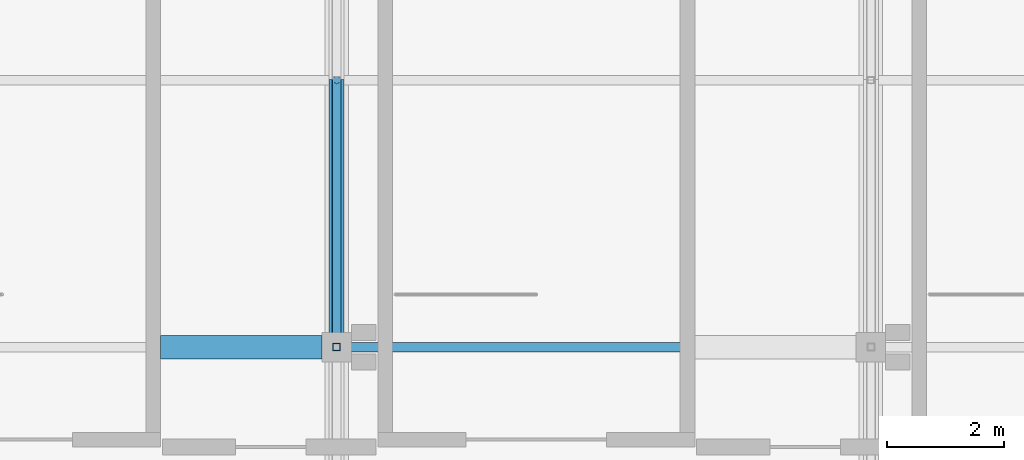
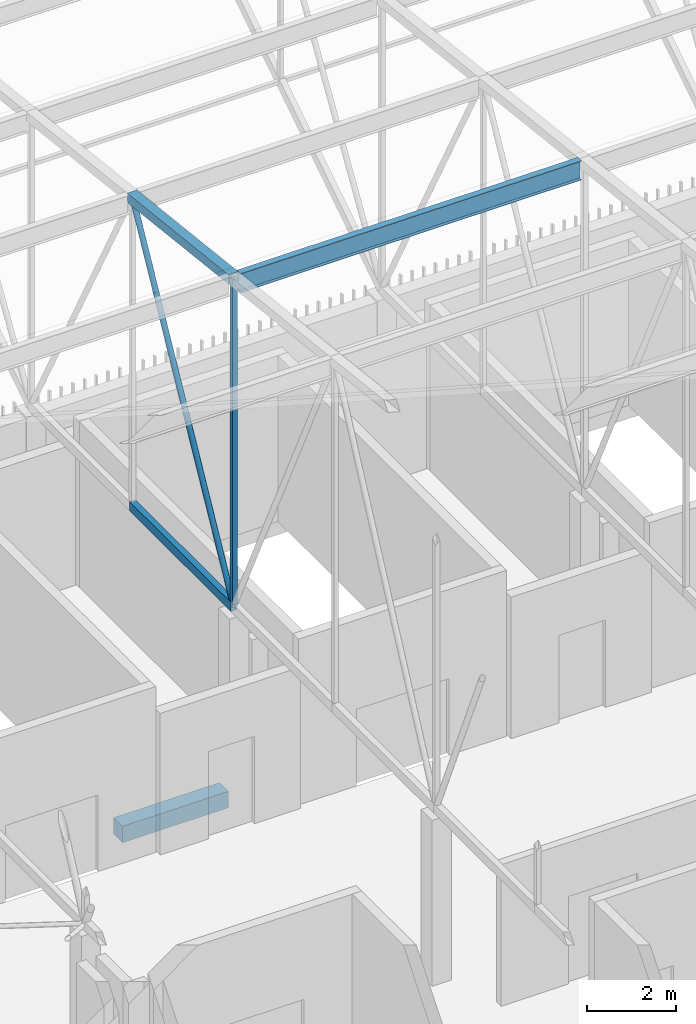
# One storey, part 226 of 500: 5 members, 1 beam.
"""IFC4 building model written with IfcOpenShell, lengths in metres."""

import ifcopenshell
import ifcopenshell.guid

model = None  # the IFC model being written
_history = None  # IfcOwnerHistory: only IFC2X3 demands one
_inside = {}  # id of a spatial element -> (the spatial element, [elements in it])
_under = {}  # id of a project, library or spatial element -> (it, [spatial elements below it])
_declared = {}  # id of a project -> (the project, [libraries it declares])
_typed = {}  # id of a type object -> (the type object, [elements of that type])
_made_of = {}  # id of a material, layer set ... -> (it, [elements and type objects made of it])


def new_model(schema):
    """Start an empty IFC model of exactly this schema.

    Asked for "IFC4X3", IfcOpenShell would pick the latest addendum, in which some entities
    have other attributes; the version numbers below select the first issue.
    IFC2X3 requires an IfcOwnerHistory on every rooted entity: one is made here for all.
    """
    global model, _history
    if schema == "IFC4X3":
        model = ifcopenshell.file(schema_version=(4, 3, 0, 0))
    else:
        model = ifcopenshell.file(schema=schema)
    _inside.clear()
    _under.clear()
    _declared.clear()
    _typed.clear()
    _made_of.clear()
    _history = None
    if model.schema == "IFC2X3":
        org = make("IfcOrganization", Name="unknown")
        user = make(
            "IfcPersonAndOrganization",
            ThePerson=make("IfcPerson", FamilyName="unknown"),
            TheOrganization=org,
        )
        app = make(
            "IfcApplication",
            ApplicationDeveloper=org,
            Version="unknown",
            ApplicationFullName="unknown",
            ApplicationIdentifier="unknown",
        )
        _history = make(
            "IfcOwnerHistory",
            OwningUser=user,
            OwningApplication=app,
            ChangeAction="ADDED",
            CreationDate=0,
        )
    return model


def make(cls, **values):
    """One entity of the class cls with the attributes given. An attribute that is None is left unset."""
    return model.create_entity(
        cls, **{name: value for name, value in values.items() if value is not None}
    )


def rooted(cls, **values):
    """An entity with a GlobalId (a new one), such as an element, a storey or a relation."""
    return make(cls, GlobalId=ifcopenshell.guid.new(), OwnerHistory=_history, **values)


def si_unit(unit_type, name, prefix=None):
    """IfcSIUnit, for example si_unit("LENGTHUNIT", "METRE", prefix="MILLI")."""
    return make("IfcSIUnit", UnitType=unit_type, Prefix=prefix, Name=name)


def assignment(units):
    """IfcUnitAssignment: the units of a project."""
    return None if units is None else make("IfcUnitAssignment", Units=units)


def point(xyz):
    """IfcCartesianPoint."""
    return None if xyz is None else make("IfcCartesianPoint", Coordinates=xyz)


def direction(xyz):
    """IfcDirection."""
    return None if xyz is None else make("IfcDirection", DirectionRatios=xyz)


def frame(location, z_axis=None, x_axis=None):
    """IfcAxis2Placement3D, a coordinate frame: its origin and axes. An axis left out is left unset."""
    return make(
        "IfcAxis2Placement3D",
        Location=point(location),
        Axis=direction(z_axis),
        RefDirection=direction(x_axis),
    )


def frame_2d(location, x_axis=None):
    """IfcAxis2Placement2D, a coordinate frame in the plane: its origin and x axis."""
    return make(
        "IfcAxis2Placement2D", Location=point(location), RefDirection=direction(x_axis)
    )


def origin():
    """The frame at (0, 0, 0) with its axes left unset."""
    return frame((0.0, 0.0, 0.0))


def origin_2d():
    """The frame at (0, 0) in the plane with its x axis left unset."""
    return frame_2d((0.0, 0.0))


def place(relative_to, where):
    """IfcLocalPlacement: puts the frame where relative to a parent placement (None: the world)."""
    return make(
        "IfcLocalPlacement", PlacementRelTo=relative_to, RelativePlacement=where
    )


def context(
    kind, dimensions, precision=None, world=None, true_north=None, identifier=None
):
    """IfcGeometricRepresentationContext, for example the 3D "Model" context."""
    return make(
        "IfcGeometricRepresentationContext",
        ContextIdentifier=identifier,
        ContextType=kind,
        CoordinateSpaceDimension=dimensions,
        Precision=precision,
        WorldCoordinateSystem=world,
        TrueNorth=true_north,
    )


def subcontext(parent, identifier, kind, view, scale=None):
    """IfcGeometricRepresentationSubContext, for example "Body" below "Model"."""
    return make(
        "IfcGeometricRepresentationSubContext",
        ContextIdentifier=identifier,
        ContextType=kind,
        ParentContext=parent,
        TargetScale=scale,
        TargetView=view,
    )


def project(units=None, contexts=None):
    """IfcProject with its units and contexts."""
    return rooted(
        "IfcProject",
        Name="project",
        RepresentationContexts=contexts,
        UnitsInContext=assignment(units),
    )


def spatial(cls, under=None, at=None, **own):
    """A site, building, storey or space (cls), placed at a placement, below another one or the project."""
    s = rooted(cls, ObjectPlacement=at, **own)
    if under is not None:
        _under.setdefault(under.id(), (under, []))[1].append(s)
    return s


def profile(cls, at=None, kind="AREA", **sizes):
    """A parametric profile (cls). Its sizes go by their IFC names, for example OverallWidth=200.0."""
    return make(cls, ProfileType=kind, Position=at, **sizes)


def rectangle(**sizes):
    """IfcRectangleProfileDef."""
    return profile("IfcRectangleProfileDef", **sizes)


def hollow_rectangle(**sizes):
    """IfcRectangleHollowProfileDef."""
    return profile("IfcRectangleHollowProfileDef", **sizes)


def hollow_circle(**sizes):
    """IfcCircleHollowProfileDef."""
    return profile("IfcCircleHollowProfileDef", **sizes)


def i_section(**sizes):
    """IfcIShapeProfileDef."""
    return profile("IfcIShapeProfileDef", **sizes)


def extrude(swept, where, along, depth):
    """IfcExtrudedAreaSolid: the profile swept, set in the frame where, extruded along a direction by depth."""
    return make(
        "IfcExtrudedAreaSolid",
        SweptArea=swept,
        Position=where,
        ExtrudedDirection=direction(along),
        Depth=depth,
    )


def shape(context_of_items, identifier, shape_type, items):
    """IfcShapeRepresentation: the items that make up one representation, for example the "Body"."""
    return make(
        "IfcShapeRepresentation",
        ContextOfItems=context_of_items,
        RepresentationIdentifier=identifier,
        RepresentationType=shape_type,
        Items=items,
    )


def material(Name=None, Category=None):
    """IfcMaterial."""
    return make("IfcMaterial", Name=Name, Category=Category)


def material_profile(
    of_material, cross_section, Name=None, Category=None, Priority=None
):
    """IfcMaterialProfile: a cross section and its material."""
    return make(
        "IfcMaterialProfile",
        Name=Name,
        Material=of_material,
        Profile=cross_section,
        Priority=Priority,
        Category=Category,
    )


def profile_set(profiles, Name=None, composite=None):
    """IfcMaterialProfileSet."""
    return make(
        "IfcMaterialProfileSet",
        Name=Name,
        MaterialProfiles=profiles,
        CompositeProfile=composite,
    )


def made_of(thing, what):
    """Note that an element or type object is made of a material, layer set ...; save() writes the relation."""
    if what is not None:
        _made_of.setdefault(what.id(), (what, []))[1].append(thing)
    return thing


def type_object(cls, material=None, **own):
    """A type object (cls), such as IfcWallType, which elements share."""
    return made_of(rooted(cls, **own), material)


def element(
    cls,
    number,
    at=None,
    inside=None,
    cuts=None,
    type_object=None,
    material=None,
    context=None,
    identifier="Body",
    shape_type=None,
    held_by="IfcProductDefinitionShape",
    body=None,
    shapes=None,
    **own,
):
    """One element of the class cls, such as IfcWall. Its Tag is "e" and its number.

    at: its placement. inside: the storey or other place that contains it. cuts: it is an
    opening in that element (IfcRelVoidsElement). A single representation is given by context,
    identifier, shape_type and body (its items); several are given by shapes. held_by: the class
    of the entity that holds the representations. save() writes the other relations.
    """
    e = rooted(cls, Tag="e%d" % number, ObjectPlacement=at, **own)
    if body is not None:
        shapes = [shape(context, identifier, shape_type, body)]
    if shapes is not None:
        e.Representation = make(held_by, Representations=shapes)
    if inside is not None:
        _inside.setdefault(inside.id(), (inside, []))[1].append(e)
    if cuts is not None:
        rooted(
            "IfcRelVoidsElement", RelatingBuildingElement=cuts, RelatedOpeningElement=e
        )
    if type_object is not None:
        _typed.setdefault(type_object.id(), (type_object, []))[1].append(e)
    return made_of(e, material)


def aggregate(whole, parts):
    """IfcRelAggregates: a whole, such as a stair, and the parts it consists of."""
    return rooted("IfcRelAggregates", RelatingObject=whole, RelatedObjects=parts)


def save(model, path):
    """Write the relations noted so far, then the file.

    IfcRelAggregates (storeys below a building ...), IfcRelContainedInSpatialStructure (elements
    in a storey), IfcRelDefinesByType, IfcRelAssociatesMaterial and IfcRelDeclares: one each for
    every whole, place, type object, material and project.
    """
    for whole, parts in _under.values():
        aggregate(whole, parts)
    for where, things in _inside.values():
        rooted(
            "IfcRelContainedInSpatialStructure",
            RelatedElements=things,
            RelatingStructure=where,
        )
    for kind, things in _typed.values():
        rooted("IfcRelDefinesByType", RelatedObjects=things, RelatingType=kind)
    for what, things in _made_of.values():
        rooted("IfcRelAssociatesMaterial", RelatedObjects=things, RelatingMaterial=what)
    for by, libraries in _declared.values():
        rooted("IfcRelDeclares", RelatingContext=by, RelatedDefinitions=libraries)
    model.write(path)


model = new_model("IFC4")

# Units and contexts
model_context = context("Model", 3, precision=1e-05, world=origin(), true_north=direction((0.0, 1.0)))
body_context = subcontext(model_context, "Body", "Model", "MODEL_VIEW")
ifc_project = project(units=[si_unit("LENGTHUNIT", "METRE"), si_unit("AREAUNIT", "SQUARE_METRE"), si_unit("VOLUMEUNIT", "CUBIC_METRE"), si_unit("PLANEANGLEUNIT", "RADIAN"), si_unit("MASSUNIT", "GRAM", prefix="KILO")], contexts=[model_context])

# Site, building, storey
site_placement = place(None, origin())
site = spatial("IfcSite", under=ifc_project, at=site_placement, CompositionType="ELEMENT")
building_placement = place(site_placement, origin())
building = spatial("IfcBuilding", under=site, at=building_placement, Name="Shirokan Park Arena", CompositionType="ELEMENT")
storey_placement = place(building_placement, frame((0.0, 0.0, 29.1201171875)))
storey = spatial("IfcBuildingStorey", under=building, at=storey_placement, Name="L06", CompositionType="ELEMENT", Elevation=29.1201171875)

# Members
ifc_material_1 = material(Name="Steel ASTM A500 Grade C", Category="steel")
ifc_material_profile_1 = material_profile(ifc_material_1, hollow_rectangle(XDim=0.152099609375, YDim=0.25390625, WallThickness=0.009521484375, at=origin_2d()), Name="HSS254X152.4X9.5")
ifc_profile_set_1 = profile_set([ifc_material_profile_1], Name="Steel ASTM A500 Grade C")
member_type_1 = type_object("IfcMemberType", Name="Bottom chord HSS254X152.4X9.5", PredefinedType="CHORD", material=ifc_profile_set_1)
member_1_placement = place(storey_placement, frame((18.199951171875, 100.10009765625, 4.677001953125), z_axis=(0.0, 1.0, 0.0), x_axis=(-1.0, 0.0, 0.0)))
element("IfcMember", 1, at=member_1_placement, inside=storey, type_object=member_type_1, Name="Truss T03 bottom chord 25", PredefinedType="CHORD", context=body_context, shape_type="SweptSolid", body=[
    extrude(hollow_rectangle(XDim=0.152099609375, YDim=0.25390625, WallThickness=0.009521484375, at=origin_2d()), origin(), (0.0, 0.0, 1.0), 4.5498046875),
])
ifc_material_2 = material(Name="Steel ASTM A992", Category="steel")
ifc_material_profile_2 = material_profile(ifc_material_2, i_section(OverallWidth=0.166015625, OverallDepth=0.528076171875, WebThickness=0.009765625, FlangeThickness=0.013671875, at=origin_2d()), Name="W530X74")
ifc_profile_set_2 = profile_set([ifc_material_profile_2], Name="Steel ASTM A992")
member_type_2 = type_object("IfcMemberType", Name="Purlin W530X74", PredefinedType="PURLIN", material=ifc_profile_set_2)
member_2_placement = place(storey_placement, frame((18.326904296875, 100.10009765625, 13.52587890625), z_axis=(1.0, 0.0, 0.0), x_axis=(0.0, 1.0, 0.0)))
element("IfcMember", 2, at=member_2_placement, inside=storey, type_object=member_type_2, Name="Purlin 25 bay 3", PredefinedType="PURLIN", context=body_context, shape_type="SweptSolid", body=[
    extrude(i_section(OverallWidth=0.166015625, OverallDepth=0.528076171875, WebThickness=0.009765625, FlangeThickness=0.013671875, at=origin_2d()), origin(), (0.0, 0.0, 1.0), 8.84619140625),
])

# Beam
ifc_material_3 = material(Name="Concrete C35", Category="concrete")
ifc_material_profile_3 = material_profile(ifc_material_3, rectangle(XDim=0.39990234375, YDim=0.449951171875, at=origin_2d()), Name="400x450")
ifc_profile_set_3 = profile_set([ifc_material_profile_3], Name="Concrete C35")
beam_type = type_object("IfcBeamType", Name="RC trimmer 400x450", PredefinedType="BEAM", material=ifc_profile_set_3)
beam_placement = place(storey_placement, frame((15.199951171875, 100.10009765625, -0.425048828125), z_axis=(1.0, 0.0, 0.0), x_axis=(0.0, 1.0, 0.0)))
element("IfcBeam", 3, at=beam_placement, inside=storey, type_object=beam_type, Name="Girder 2M-3M L06", PredefinedType="BEAM", context=body_context, shape_type="SweptSolid", body=[
    extrude(rectangle(XDim=0.39990234375, YDim=0.449951171875, at=origin_2d()), origin(), (0.0, 0.0, 1.0), 2.75),
])

# Members
ifc_material_profile_4 = material_profile(ifc_material_1, hollow_rectangle(XDim=0.25390625, YDim=0.25390625, WallThickness=0.009521484375, at=origin_2d()), Name="HSS254X254X9.5")
ifc_profile_set_4 = profile_set([ifc_material_profile_4], Name="Steel ASTM A500 Grade C")
member_type_3 = type_object("IfcMemberType", Name="Top chord HSS254X254X9.5", PredefinedType="CHORD", material=ifc_profile_set_4)
member_3_placement = place(storey_placement, frame((18.199951171875, 100.10009765625, 13.662841796875), z_axis=(0.0, 0.993531641592, -0.11355561261), x_axis=(-1.0, 0.0, 0.0)))
element("IfcMember", 4, at=member_3_placement, inside=storey, type_object=member_type_3, Name="Truss T03 top chord 25", PredefinedType="CHORD", context=body_context, shape_type="SweptSolid", body=[
    extrude(hollow_rectangle(XDim=0.25390625, YDim=0.25390625, WallThickness=0.009521484375, at=origin_2d()), origin(), (0.0, 0.0, 1.0), 4.579345703125),
])
ifc_material_profile_5 = material_profile(ifc_material_1, hollow_circle(Radius=0.070556640625, WallThickness=0.006591796875, at=origin_2d()), Name="HSS141.3X6.6")
ifc_profile_set_5 = profile_set([ifc_material_profile_5], Name="Steel ASTM A500 Grade C")
member_type_4 = type_object("IfcMemberType", Name="Truss diagonal HSS141.3X6.6", PredefinedType="BRACE", material=ifc_profile_set_5)
member_4_placement = place(storey_placement, frame((18.199951171875, 100.10009765625, 4.677001953125), z_axis=(0.0, 0.47339679801, 0.880849289966), x_axis=(-1.0, 0.0, 0.0)))
element("IfcMember", 5, at=member_4_placement, inside=storey, type_object=member_type_4, Name="Truss T03 diagonal 25", PredefinedType="BRACE", context=body_context, shape_type="SweptSolid", body=[
    extrude(hollow_circle(Radius=0.070556640625, WallThickness=0.006591796875, at=origin_2d()), origin(), (0.0, 0.0, 1.0), 9.611083984375),
])
ifc_material_profile_6 = material_profile(ifc_material_1, hollow_rectangle(XDim=0.126953125, YDim=0.126953125, WallThickness=0.008056640625, at=origin_2d()), Name="HSS127X127X7.9")
ifc_profile_set_6 = profile_set([ifc_material_profile_6], Name="Steel ASTM A500 Grade C")
member_type_5 = type_object("IfcMemberType", Name="Truss post HSS127X127X7.9", PredefinedType="POST", material=ifc_profile_set_6)
member_5_placement = place(storey_placement, frame((18.199951171875, 100.10009765625, 4.677001953125), z_axis=(0.0, 0.0, 1.0), x_axis=(1.0, 0.0, 0.0)))
element("IfcMember", 6, at=member_5_placement, inside=storey, type_object=member_type_5, Name="Truss T03 post 25", PredefinedType="POST", context=body_context, shape_type="SweptSolid", body=[
    extrude(hollow_rectangle(XDim=0.126953125, YDim=0.126953125, WallThickness=0.008056640625, at=origin_2d()), origin(), (0.0, 0.0, 1.0), 8.98583984375),
])

save(model, "model.ifc")
